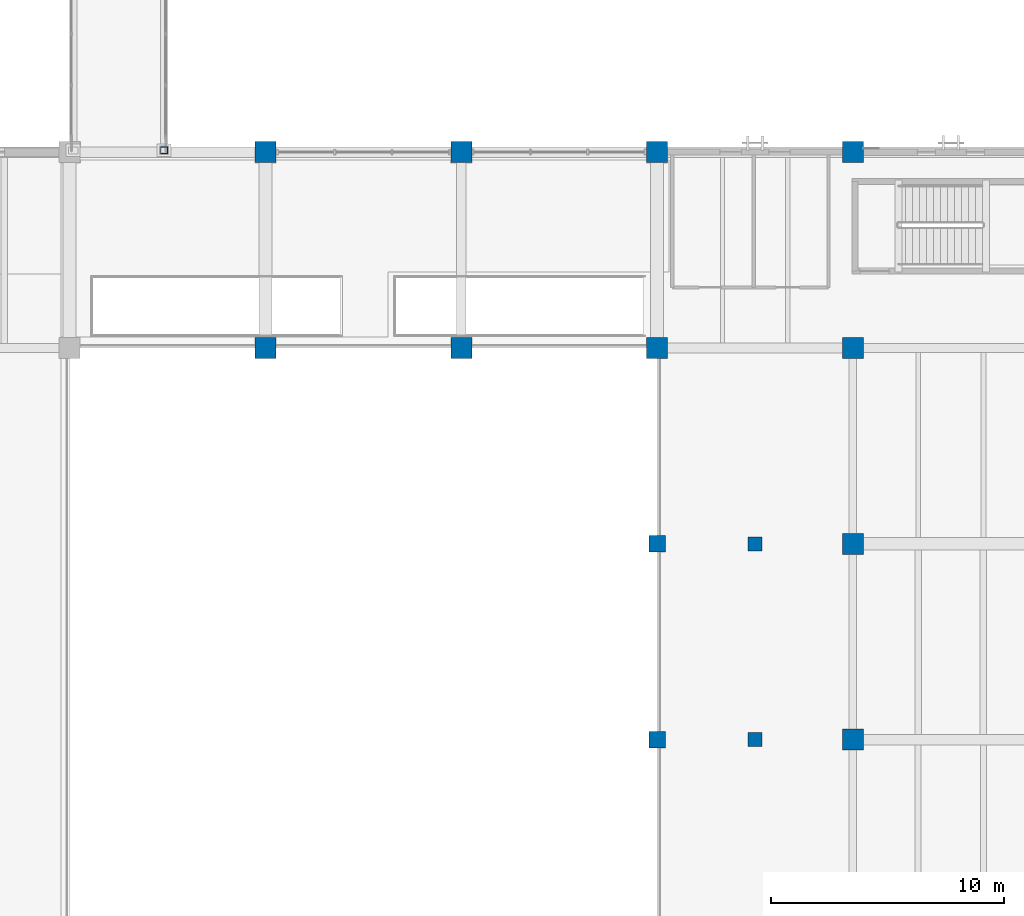
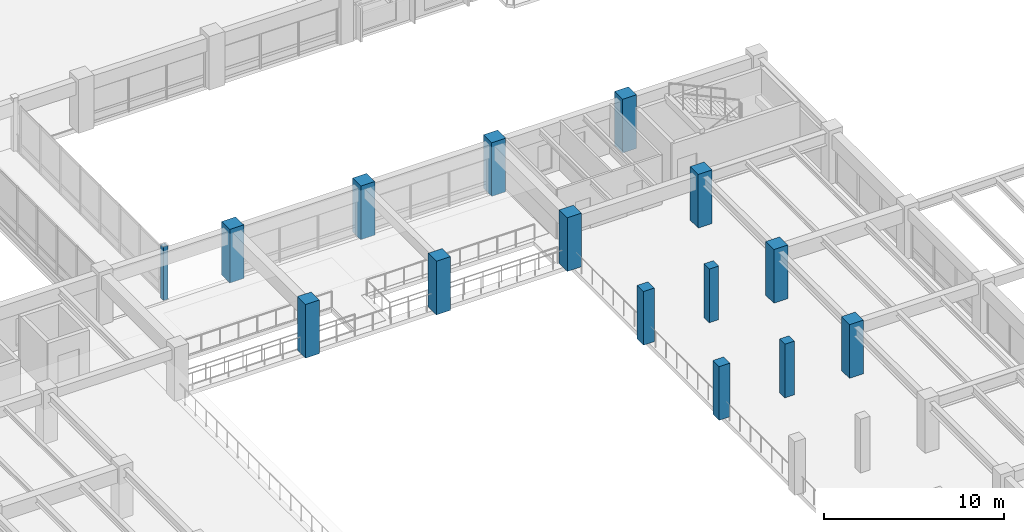
# One storey, part 2 of 118: 15 columns.
"""IFC4 building model written with IfcOpenShell, lengths in metres."""

import ifcopenshell
import ifcopenshell.guid

model = None  # the IFC model being written
_history = None  # IfcOwnerHistory: only IFC2X3 demands one
_inside = {}  # id of a spatial element -> (the spatial element, [elements in it])
_under = {}  # id of a project, library or spatial element -> (it, [spatial elements below it])
_declared = {}  # id of a project -> (the project, [libraries it declares])
_typed = {}  # id of a type object -> (the type object, [elements of that type])
_made_of = {}  # id of a material, layer set ... -> (it, [elements and type objects made of it])


def new_model(schema):
    """Start an empty IFC model of exactly this schema.

    Asked for "IFC4X3", IfcOpenShell would pick the latest addendum, in which some entities
    have other attributes; the version numbers below select the first issue.
    IFC2X3 requires an IfcOwnerHistory on every rooted entity: one is made here for all.
    """
    global model, _history
    if schema == "IFC4X3":
        model = ifcopenshell.file(schema_version=(4, 3, 0, 0))
    else:
        model = ifcopenshell.file(schema=schema)
    _inside.clear()
    _under.clear()
    _declared.clear()
    _typed.clear()
    _made_of.clear()
    _history = None
    if model.schema == "IFC2X3":
        org = make("IfcOrganization", Name="unknown")
        user = make(
            "IfcPersonAndOrganization",
            ThePerson=make("IfcPerson", FamilyName="unknown"),
            TheOrganization=org,
        )
        app = make(
            "IfcApplication",
            ApplicationDeveloper=org,
            Version="unknown",
            ApplicationFullName="unknown",
            ApplicationIdentifier="unknown",
        )
        _history = make(
            "IfcOwnerHistory",
            OwningUser=user,
            OwningApplication=app,
            ChangeAction="ADDED",
            CreationDate=0,
        )
    return model


def make(cls, **values):
    """One entity of the class cls with the attributes given. An attribute that is None is left unset."""
    return model.create_entity(
        cls, **{name: value for name, value in values.items() if value is not None}
    )


def rooted(cls, **values):
    """An entity with a GlobalId (a new one), such as an element, a storey or a relation."""
    return make(cls, GlobalId=ifcopenshell.guid.new(), OwnerHistory=_history, **values)


def si_unit(unit_type, name, prefix=None):
    """IfcSIUnit, for example si_unit("LENGTHUNIT", "METRE", prefix="MILLI")."""
    return make("IfcSIUnit", UnitType=unit_type, Prefix=prefix, Name=name)


def assignment(units):
    """IfcUnitAssignment: the units of a project."""
    return None if units is None else make("IfcUnitAssignment", Units=units)


def point(xyz):
    """IfcCartesianPoint."""
    return None if xyz is None else make("IfcCartesianPoint", Coordinates=xyz)


def direction(xyz):
    """IfcDirection."""
    return None if xyz is None else make("IfcDirection", DirectionRatios=xyz)


def frame(location, z_axis=None, x_axis=None):
    """IfcAxis2Placement3D, a coordinate frame: its origin and axes. An axis left out is left unset."""
    return make(
        "IfcAxis2Placement3D",
        Location=point(location),
        Axis=direction(z_axis),
        RefDirection=direction(x_axis),
    )


def frame_2d(location, x_axis=None):
    """IfcAxis2Placement2D, a coordinate frame in the plane: its origin and x axis."""
    return make(
        "IfcAxis2Placement2D", Location=point(location), RefDirection=direction(x_axis)
    )


def origin():
    """The frame at (0, 0, 0) with its axes left unset."""
    return frame((0.0, 0.0, 0.0))


def origin_2d():
    """The frame at (0, 0) in the plane with its x axis left unset."""
    return frame_2d((0.0, 0.0))


def place(relative_to, where):
    """IfcLocalPlacement: puts the frame where relative to a parent placement (None: the world)."""
    return make(
        "IfcLocalPlacement", PlacementRelTo=relative_to, RelativePlacement=where
    )


def context(
    kind, dimensions, precision=None, world=None, true_north=None, identifier=None
):
    """IfcGeometricRepresentationContext, for example the 3D "Model" context."""
    return make(
        "IfcGeometricRepresentationContext",
        ContextIdentifier=identifier,
        ContextType=kind,
        CoordinateSpaceDimension=dimensions,
        Precision=precision,
        WorldCoordinateSystem=world,
        TrueNorth=true_north,
    )


def subcontext(parent, identifier, kind, view, scale=None):
    """IfcGeometricRepresentationSubContext, for example "Body" below "Model"."""
    return make(
        "IfcGeometricRepresentationSubContext",
        ContextIdentifier=identifier,
        ContextType=kind,
        ParentContext=parent,
        TargetScale=scale,
        TargetView=view,
    )


def project(units=None, contexts=None):
    """IfcProject with its units and contexts."""
    return rooted(
        "IfcProject",
        Name="project",
        RepresentationContexts=contexts,
        UnitsInContext=assignment(units),
    )


def spatial(cls, under=None, at=None, **own):
    """A site, building, storey or space (cls), placed at a placement, below another one or the project."""
    s = rooted(cls, ObjectPlacement=at, **own)
    if under is not None:
        _under.setdefault(under.id(), (under, []))[1].append(s)
    return s


def profile(cls, at=None, kind="AREA", **sizes):
    """A parametric profile (cls). Its sizes go by their IFC names, for example OverallWidth=200.0."""
    return make(cls, ProfileType=kind, Position=at, **sizes)


def rectangle(**sizes):
    """IfcRectangleProfileDef."""
    return profile("IfcRectangleProfileDef", **sizes)


def hollow_rectangle(**sizes):
    """IfcRectangleHollowProfileDef."""
    return profile("IfcRectangleHollowProfileDef", **sizes)


def extrude(swept, where, along, depth):
    """IfcExtrudedAreaSolid: the profile swept, set in the frame where, extruded along a direction by depth."""
    return make(
        "IfcExtrudedAreaSolid",
        SweptArea=swept,
        Position=where,
        ExtrudedDirection=direction(along),
        Depth=depth,
    )


def shape(context_of_items, identifier, shape_type, items):
    """IfcShapeRepresentation: the items that make up one representation, for example the "Body"."""
    return make(
        "IfcShapeRepresentation",
        ContextOfItems=context_of_items,
        RepresentationIdentifier=identifier,
        RepresentationType=shape_type,
        Items=items,
    )


def material(Name=None, Category=None):
    """IfcMaterial."""
    return make("IfcMaterial", Name=Name, Category=Category)


def material_profile(
    of_material, cross_section, Name=None, Category=None, Priority=None
):
    """IfcMaterialProfile: a cross section and its material."""
    return make(
        "IfcMaterialProfile",
        Name=Name,
        Material=of_material,
        Profile=cross_section,
        Priority=Priority,
        Category=Category,
    )


def profile_set(profiles, Name=None, composite=None):
    """IfcMaterialProfileSet."""
    return make(
        "IfcMaterialProfileSet",
        Name=Name,
        MaterialProfiles=profiles,
        CompositeProfile=composite,
    )


def made_of(thing, what):
    """Note that an element or type object is made of a material, layer set ...; save() writes the relation."""
    if what is not None:
        _made_of.setdefault(what.id(), (what, []))[1].append(thing)
    return thing


def type_object(cls, material=None, **own):
    """A type object (cls), such as IfcWallType, which elements share."""
    return made_of(rooted(cls, **own), material)


def element(
    cls,
    number,
    at=None,
    inside=None,
    cuts=None,
    type_object=None,
    material=None,
    context=None,
    identifier="Body",
    shape_type=None,
    held_by="IfcProductDefinitionShape",
    body=None,
    shapes=None,
    **own,
):
    """One element of the class cls, such as IfcWall. Its Tag is "e" and its number.

    at: its placement. inside: the storey or other place that contains it. cuts: it is an
    opening in that element (IfcRelVoidsElement). A single representation is given by context,
    identifier, shape_type and body (its items); several are given by shapes. held_by: the class
    of the entity that holds the representations. save() writes the other relations.
    """
    e = rooted(cls, Tag="e%d" % number, ObjectPlacement=at, **own)
    if body is not None:
        shapes = [shape(context, identifier, shape_type, body)]
    if shapes is not None:
        e.Representation = make(held_by, Representations=shapes)
    if inside is not None:
        _inside.setdefault(inside.id(), (inside, []))[1].append(e)
    if cuts is not None:
        rooted(
            "IfcRelVoidsElement", RelatingBuildingElement=cuts, RelatedOpeningElement=e
        )
    if type_object is not None:
        _typed.setdefault(type_object.id(), (type_object, []))[1].append(e)
    return made_of(e, material)


def aggregate(whole, parts):
    """IfcRelAggregates: a whole, such as a stair, and the parts it consists of."""
    return rooted("IfcRelAggregates", RelatingObject=whole, RelatedObjects=parts)


def save(model, path):
    """Write the relations noted so far, then the file.

    IfcRelAggregates (storeys below a building ...), IfcRelContainedInSpatialStructure (elements
    in a storey), IfcRelDefinesByType, IfcRelAssociatesMaterial and IfcRelDeclares: one each for
    every whole, place, type object, material and project.
    """
    for whole, parts in _under.values():
        aggregate(whole, parts)
    for where, things in _inside.values():
        rooted(
            "IfcRelContainedInSpatialStructure",
            RelatedElements=things,
            RelatingStructure=where,
        )
    for kind, things in _typed.values():
        rooted("IfcRelDefinesByType", RelatedObjects=things, RelatingType=kind)
    for what, things in _made_of.values():
        rooted("IfcRelAssociatesMaterial", RelatedObjects=things, RelatingMaterial=what)
    for by, libraries in _declared.values():
        rooted("IfcRelDeclares", RelatingContext=by, RelatedDefinitions=libraries)
    model.write(path)


model = new_model("IFC4")

# Units and contexts
model_context = context("Model", 3, precision=1e-05, world=origin(), true_north=direction((0.0, 1.0)))
body_context = subcontext(model_context, "Body", "Model", "MODEL_VIEW")
ifc_project = project(units=[si_unit("LENGTHUNIT", "METRE"), si_unit("AREAUNIT", "SQUARE_METRE"), si_unit("VOLUMEUNIT", "CUBIC_METRE"), si_unit("PLANEANGLEUNIT", "RADIAN"), si_unit("MASSUNIT", "GRAM", prefix="KILO")], contexts=[model_context])

# Site, building, storey
site_placement = place(None, origin())
site = spatial("IfcSite", under=ifc_project, at=site_placement, CompositionType="ELEMENT")
building_placement = place(site_placement, origin())
building = spatial("IfcBuilding", under=site, at=building_placement, Name="Cumbredor Promenade Congress Hotel", CompositionType="ELEMENT")
storey_placement = place(building_placement, frame((0.0, 0.0, 3.919921875)))
storey = spatial("IfcBuildingStorey", under=building, at=storey_placement, Name="L01", CompositionType="ELEMENT", Elevation=3.919921875)

# Columns
ifc_material_1 = material(Name="Concrete C40/50", Category="concrete")
ifc_material_profile_1 = material_profile(ifc_material_1, rectangle(XDim=0.60009765625, YDim=0.60009765625, at=origin_2d()), Name="RC 600x600")
ifc_profile_set_1 = profile_set([ifc_material_profile_1], Name="Concrete C40/50")
column_type_1 = type_object("IfcColumnType", Name="COL-RC-600", PredefinedType="COLUMN", material=ifc_profile_set_1)
for number, where, z_axis, x_axis, name in (
    (1, (54.60009765625, 42.0, 0.0), (0.0, 0.0, 1.0), (1.0, 0.0, 0.0), "L01 Balcony Tier Mid-Raker Column Y42"),
    (2, (54.60009765625, 50.39990234375, 0.0), (0.0, 0.0, 1.0), (1.0, 0.0, 0.0), "L01 Balcony Tier Mid-Raker Column Y50"),
):
    element("IfcColumn", number, at=place(storey_placement, frame(where, z_axis=z_axis, x_axis=x_axis)), inside=storey, type_object=column_type_1, Name=name, PredefinedType="COLUMN", context=body_context, shape_type="SweptSolid", body=[
        extrude(rectangle(XDim=0.60009765625, YDim=0.60009765625, at=origin_2d()), origin(), (0.0, 0.0, 1.0), 3.64013671875),
    ])
ifc_material_profile_2 = material_profile(ifc_material_1, rectangle(XDim=0.699951171875, YDim=0.699951171875, at=origin_2d()), Name="RC 700x700")
ifc_profile_set_2 = profile_set([ifc_material_profile_2], Name="Concrete C40/50")
column_type_2 = type_object("IfcColumnType", Name="COL-RC-700", PredefinedType="COLUMN", material=ifc_profile_set_2)
for number, where, z_axis, x_axis, name in (
    (3, (50.39990234375, 42.0, 0.0), (0.0, 0.0, 1.0), (1.0, 0.0, 0.0), "L01 Balcony Bowl Perimeter Column Y42"),
    (4, (50.39990234375, 50.39990234375, 0.0), (0.0, 0.0, 1.0), (1.0, 0.0, 0.0), "L01 Balcony Bowl Perimeter Column Y50"),
):
    element("IfcColumn", number, at=place(storey_placement, frame(where, z_axis=z_axis, x_axis=x_axis)), inside=storey, type_object=column_type_2, Name=name, PredefinedType="COLUMN", context=body_context, shape_type="SweptSolid", body=[
        extrude(rectangle(XDim=0.699951171875, YDim=0.699951171875, at=origin_2d()), origin(), (0.0, 0.0, 1.0), 3.64013671875),
    ])
ifc_material_2 = material(Name="Concrete C50/60", Category="concrete")
ifc_material_profile_3 = material_profile(ifc_material_2, rectangle(XDim=0.89990234375, YDim=0.89990234375, at=origin_2d()), Name="RC 900x900")
ifc_profile_set_3 = profile_set([ifc_material_profile_3], Name="Concrete C50/60")
column_type_3 = type_object("IfcColumnType", Name="COL-RC-900", PredefinedType="COLUMN", material=ifc_profile_set_3)
for number, where, z_axis, x_axis, name in (
    (5, (33.60009765625, 58.800048828125, 0.0), (0.0, 0.0, 1.0), (1.0, 0.0, 0.0), "L01 Structural Column 042"),
    (6, (33.60009765625, 67.199951171875, 0.0), (0.0, 0.0, 1.0), (1.0, 0.0, 0.0), "L01 Structural Column 043"),
    (7, (42.0, 58.800048828125, 0.0), (0.0, 0.0, 1.0), (1.0, 0.0, 0.0), "L01 Structural Column 050"),
    (8, (42.0, 67.199951171875, 0.0), (0.0, 0.0, 1.0), (1.0, 0.0, 0.0), "L01 Structural Column 051"),
    (9, (50.39990234375, 58.800048828125, 0.0), (0.0, 0.0, 1.0), (1.0, 0.0, 0.0), "L01 Structural Column 058"),
    (10, (50.39990234375, 67.199951171875, 0.0), (0.0, 0.0, 1.0), (1.0, 0.0, 0.0), "L01 Structural Column 059"),
    (11, (58.800048828125, 42.0, 0.0), (0.0, 0.0, 1.0), (1.0, 0.0, 0.0), "L01 Structural Column 069"),
    (12, (58.800048828125, 50.39990234375, 0.0), (0.0, 0.0, 1.0), (1.0, 0.0, 0.0), "L01 Structural Column 070"),
    (13, (58.800048828125, 58.800048828125, 0.0), (0.0, 0.0, 1.0), (1.0, 0.0, 0.0), "L01 Structural Column 071"),
    (14, (58.800048828125, 67.199951171875, 0.0), (0.0, 0.0, 1.0), (1.0, 0.0, 0.0), "L01 Structural Column 072"),
):
    element("IfcColumn", number, at=place(storey_placement, frame(where, z_axis=z_axis, x_axis=x_axis)), inside=storey, type_object=column_type_3, Name=name, PredefinedType="COLUMN", context=body_context, shape_type="SweptSolid", body=[
        extrude(rectangle(XDim=0.89990234375, YDim=0.89990234375, at=origin_2d()), origin(), (0.0, 0.0, 1.0), 3.64013671875),
    ])
ifc_material_3 = material(Name="Steel ASTM A500 Grade C", Category="steel")
ifc_material_profile_4 = material_profile(ifc_material_3, hollow_rectangle(XDim=0.300048828125, YDim=0.300048828125, WallThickness=0.01611328125, at=origin_2d()), Name="HSS 300x300x16")
ifc_profile_set_4 = profile_set([ifc_material_profile_4], Name="Steel ASTM A500 Grade C")
column_type_4 = type_object("IfcColumnType", Name="COL-STL-HSS300", PredefinedType="COLUMN", material=ifc_profile_set_4)
column_placement = place(storey_placement, frame((29.25, 67.280029296875, 0.0), z_axis=(0.0, 0.0, 1.0), x_axis=(1.0, 0.0, 0.0)))
element("IfcColumn", 15, at=column_placement, inside=storey, type_object=column_type_4, Name="L01 West Congress-to-Hotel Glazed Bridge Support Column 2", PredefinedType="COLUMN", context=body_context, shape_type="SweptSolid", body=[
    extrude(hollow_rectangle(XDim=0.300048828125, YDim=0.300048828125, WallThickness=0.01611328125, at=origin_2d()), origin(), (0.0, 0.0, 1.0), 3.64013671875),
])

save(model, "model.ifc")
